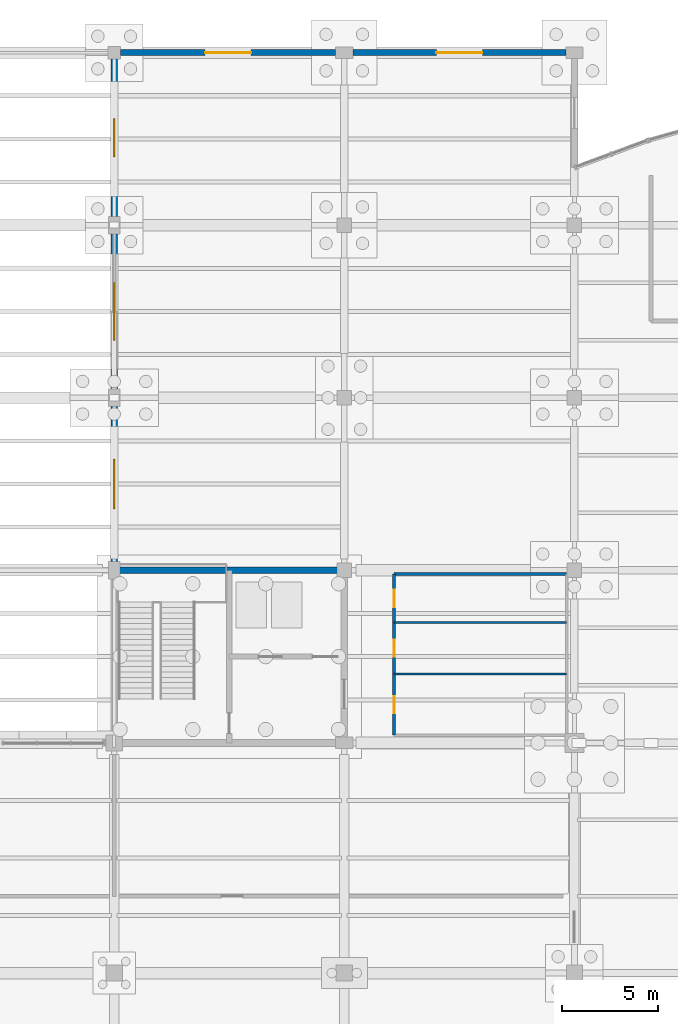
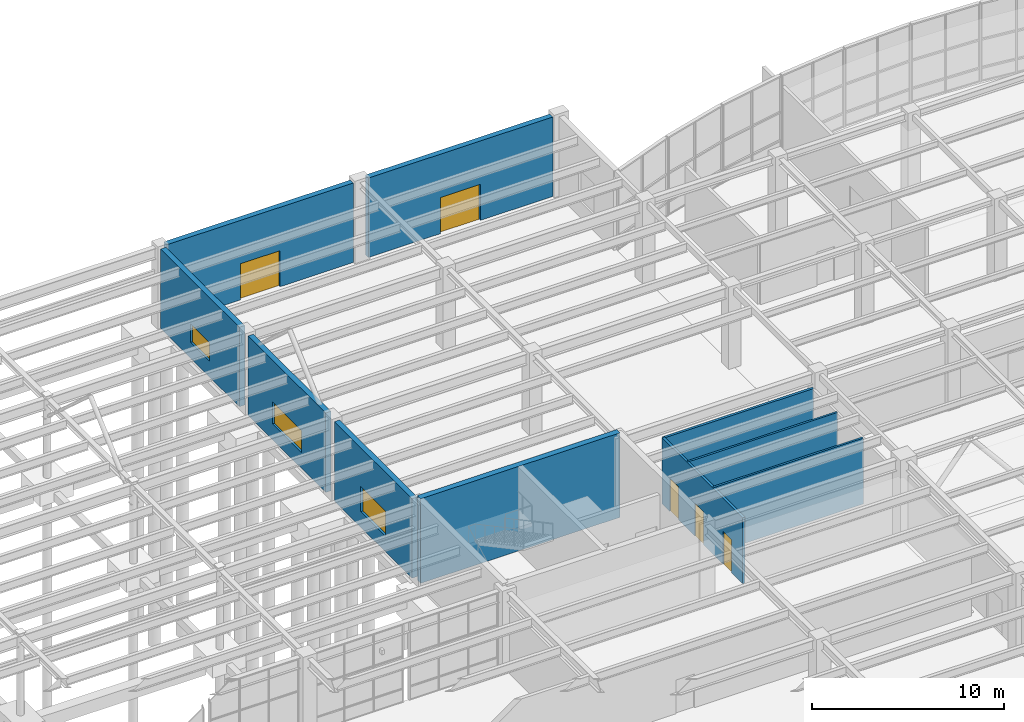
# One storey, part 67 of 85: 10 walls, 5 doors, 3 windows, 8 openings.
"""IFC4 building model written with IfcOpenShell, lengths in metres."""

from ifc_helpers import new_model, si_unit, direction, frame, frame_2d, origin, place, context, subcontext, project, spatial, rectangle, extrude, material, layer, layer_set, type_object, element, fill, save


model = new_model("IFC4")

# Units and contexts
model_context = context("Model", 3, precision=1e-05, world=origin(), true_north=direction((0.0, 1.0)))
body_context = subcontext(model_context, "Body", "Model", "MODEL_VIEW")
ifc_project = project(units=[si_unit("LENGTHUNIT", "METRE"), si_unit("AREAUNIT", "SQUARE_METRE"), si_unit("VOLUMEUNIT", "CUBIC_METRE"), si_unit("PLANEANGLEUNIT", "RADIAN"), si_unit("MASSUNIT", "GRAM", prefix="KILO")], contexts=[model_context])

# Site, building, storey
site_placement = place(None, origin())
site = spatial("IfcSite", under=ifc_project, at=site_placement, CompositionType="ELEMENT")
building_placement = place(site_placement, origin())
building = spatial("IfcBuilding", under=site, at=building_placement, Name="Keelwater Ferry Terminal", CompositionType="ELEMENT")
storey_placement = place(building_placement, origin())
storey = spatial("IfcBuildingStorey", under=building, at=storey_placement, Name="L00", CompositionType="ELEMENT", Elevation=0.0)

# Wall, opening, window
ifc_material_1 = material(Name="Precast concrete C40/50", Category="concrete")
ifc_layer_1 = layer(ifc_material_1, 0.320068359375)
ifc_layer_set_1 = layer_set([ifc_layer_1], Name="Precast concrete C40/50")
wall_type_1 = type_object("IfcWallType", Name="EW-TC320 External Solid Wall 320", PredefinedType="SOLIDWALL", material=ifc_layer_set_1)
wall_1_placement = place(storey_placement, frame((108.0, 99.449951171875, 0.0), z_axis=(0.0, 0.0, 1.0), x_axis=(0.0, 1.0, 0.0)))
wall_1 = element("IfcWall", 1, at=wall_1_placement, inside=storey, type_object=wall_type_1, Name="External Wall WL-L00-0048", PredefinedType="SOLIDWALL", context=body_context, shape_type="SweptSolid", body=[
    extrude(rectangle(XDim=8.10009765625, YDim=0.320068359375, at=frame_2d((4.050048828125, 0.0))), origin(), (0.0, 0.0, 1.0), 5.06005859375),
])
opening_1_placement = place(wall_1_placement, frame((2.75, 0.0, 1.0)))
opening_1 = element("IfcOpeningElement", 2, at=opening_1_placement, cuts=wall_1, Name="Opening WN-19", PredefinedType="OPENING", context=body_context, shape_type="SweptSolid", body=[
    extrude(rectangle(XDim=2.60009765625, YDim=1.60009765625, at=frame_2d((1.300048828125, 0.800048828125))), frame((0.0, 0.170166015625, 0.0), z_axis=(0.0, -1.0, 0.0), x_axis=(1.0, 0.0, 0.0)), (0.0, 0.0, 1.0), 0.340087890625),
])
ifc_material_2 = material(Name="Triple low-E glass in thermally broken aluminium frame", Category="aluminium")
window_type_1 = type_object("IfcWindowType", Name="WN-19 Exterior Window 2600x1600", PartitioningType="SINGLE_PANEL", PredefinedType="WINDOW", material=ifc_material_2)
window_1_placement = place(opening_1_placement, origin())
window_1 = element("IfcWindow", 3, at=window_1_placement, inside=storey, type_object=window_type_1, Name="Window WN-L00-0019", OverallHeight=1.60009765625, OverallWidth=2.60009765625, PartitioningType="SINGLE_PANEL", PredefinedType="WINDOW", context=body_context, shape_type="SweptSolid", body=[
    extrude(rectangle(XDim=2.60009765625, YDim=1.60009765625, at=frame_2d((1.300048828125, 0.800048828125))), frame((0.0, 0.030029296875, 0.0), z_axis=(0.0, -1.0, 0.0), x_axis=(1.0, 0.0, 0.0)), (0.0, 0.0, 1.0), 0.06005859375),
])
fill(opening_1, window_1)

wall_2_placement = place(storey_placement, frame((108.0, 108.449951171875, 0.0), z_axis=(0.0, 0.0, 1.0), x_axis=(0.0, 1.0, 0.0)))
wall_2 = element("IfcWall", 4, at=wall_2_placement, inside=storey, type_object=wall_type_1, Name="External Wall WL-L00-0049", PredefinedType="SOLIDWALL", context=body_context, shape_type="SweptSolid", body=[
    extrude(rectangle(XDim=8.10009765625, YDim=0.320068359375, at=frame_2d((4.050048828125, 0.0))), origin(), (0.0, 0.0, 1.0), 5.06005859375),
])
opening_2_placement = place(wall_2_placement, frame((2.550048828125, 0.0, 1.0)))
opening_2 = element("IfcOpeningElement", 5, at=opening_2_placement, cuts=wall_2, Name="Opening WN-20", PredefinedType="OPENING", context=body_context, shape_type="SweptSolid", body=[
    extrude(rectangle(XDim=3.0, YDim=1.39990234375, at=frame_2d((1.5, 0.699951171875))), frame((0.0, 0.170166015625, 0.0), z_axis=(0.0, -1.0, 0.0), x_axis=(1.0, 0.0, 0.0)), (0.0, 0.0, 1.0), 0.340087890625),
])
ifc_material_3 = material(Name="Triple low-E glass in thermally broken aluminium frame", Category="aluminium")
window_type_2 = type_object("IfcWindowType", Name="WN-20 Exterior Window 3000x1400", PartitioningType="SINGLE_PANEL", PredefinedType="WINDOW", material=ifc_material_3)
window_2_placement = place(opening_2_placement, origin())
window_2 = element("IfcWindow", 6, at=window_2_placement, inside=storey, type_object=window_type_2, Name="Window WN-L00-0020", OverallHeight=1.39990234375, OverallWidth=3.0, PartitioningType="SINGLE_PANEL", PredefinedType="WINDOW", context=body_context, shape_type="SweptSolid", body=[
    extrude(rectangle(XDim=3.0, YDim=1.39990234375, at=frame_2d((1.5, 0.699951171875))), frame((0.0, 0.030029296875, 0.0), z_axis=(0.0, -1.0, 0.0), x_axis=(1.0, 0.0, 0.0)), (0.0, 0.0, 1.0), 0.06005859375),
])
fill(opening_2, window_2)

wall_3_placement = place(storey_placement, frame((108.0, 117.449951171875, 0.0), z_axis=(0.0, 0.0, 1.0), x_axis=(0.0, 1.0, 0.0)))
wall_3 = element("IfcWall", 7, at=wall_3_placement, inside=storey, type_object=wall_type_1, Name="External Wall WL-L00-0050", PredefinedType="SOLIDWALL", context=body_context, shape_type="SweptSolid", body=[
    extrude(rectangle(XDim=8.22509765625, YDim=0.320068359375, at=frame_2d((4.112548828125, 0.0))), origin(), (0.0, 0.0, 1.0), 5.06005859375),
])
opening_3_placement = place(wall_3_placement, frame((3.112060546875, 0.0, 1.0)))
opening_3 = element("IfcOpeningElement", 8, at=opening_3_placement, cuts=wall_3, Name="Opening WN-21", PredefinedType="OPENING", context=body_context, shape_type="SweptSolid", body=[
    extrude(rectangle(XDim=2.0, YDim=1.199951171875, at=frame_2d((1.0, 0.60009765625))), frame((0.0, 0.170166015625, 0.0), z_axis=(0.0, -1.0, 0.0), x_axis=(1.0, 0.0, 0.0)), (0.0, 0.0, 1.0), 0.340087890625),
])
ifc_material_4 = material(Name="Triple low-E glass in thermally broken aluminium frame", Category="aluminium")
window_type_3 = type_object("IfcWindowType", Name="WN-21 Exterior Window 2000x1200", PartitioningType="SINGLE_PANEL", PredefinedType="WINDOW", material=ifc_material_4)
window_3_placement = place(opening_3_placement, origin())
window_3 = element("IfcWindow", 9, at=window_3_placement, inside=storey, type_object=window_type_3, Name="Window WN-L00-0021", OverallHeight=1.199951171875, OverallWidth=2.0, PartitioningType="SINGLE_PANEL", PredefinedType="WINDOW", context=body_context, shape_type="SweptSolid", body=[
    extrude(rectangle(XDim=2.0, YDim=1.199951171875, at=frame_2d((1.0, 0.60009765625))), frame((0.0, 0.030029296875, 0.0), z_axis=(0.0, -1.0, 0.0), x_axis=(1.0, 0.0, 0.0)), (0.0, 0.0, 1.0), 0.06005859375),
])
fill(opening_3, window_3)

# Wall, opening, door
wall_4_placement = place(storey_placement, frame((108.324951171875, 126.0, 0.0), z_axis=(0.0, 0.0, 1.0), x_axis=(1.0, 0.0, 0.0)))
wall_4 = element("IfcWall", 10, at=wall_4_placement, inside=storey, type_object=wall_type_1, Name="External Wall WL-L00-0051", PredefinedType="SOLIDWALL", context=body_context, shape_type="SweptSolid", body=[
    extrude(rectangle(XDim=11.22509765625, YDim=0.320068359375, at=frame_2d((5.612548828125, 0.0))), origin(), (0.0, 0.0, 1.0), 5.06005859375),
])
opening_4_placement = place(wall_4_placement, frame((4.412109375, 0.0, 0.0)))
opening_4 = element("IfcOpeningElement", 11, at=opening_4_placement, cuts=wall_4, Name="Opening ED-15", PredefinedType="OPENING", context=body_context, shape_type="SweptSolid", body=[
    extrude(rectangle(XDim=2.39990234375, YDim=2.300048828125, at=frame_2d((1.199951171875, 1.14990234375))), frame((0.0, 0.170166015625, 0.0), z_axis=(0.0, -1.0, 0.0), x_axis=(1.0, 0.0, 0.0)), (0.0, 0.0, 1.0), 0.340087890625),
])
ifc_material_5 = material(Name="Anodised aluminium and laminated safety glass", Category="aluminium")
door_type_1 = type_object("IfcDoorType", Name="ED-T1 Pedestrian Door 2400x2300", OperationType="DOUBLE_DOOR_SINGLE_SWING", PredefinedType="DOOR", material=ifc_material_5)
door_1_placement = place(opening_4_placement, origin())
door_1 = element("IfcDoor", 12, at=door_1_placement, inside=storey, type_object=door_type_1, Name="Door ED-15", OperationType="DOUBLE_DOOR_SINGLE_SWING", OverallHeight=2.300048828125, OverallWidth=2.39990234375, PredefinedType="DOOR", context=body_context, shape_type="SweptSolid", body=[
    extrude(rectangle(XDim=2.39990234375, YDim=2.300048828125, at=frame_2d((1.199951171875, 1.14990234375))), frame((0.0, 0.02490234375, 0.0), z_axis=(0.0, -1.0, 0.0), x_axis=(1.0, 0.0, 0.0)), (0.0, 0.0, 1.0), 0.050048828125),
])
fill(opening_4, door_1)

wall_5_placement = place(storey_placement, frame((120.449951171875, 126.0, 0.0), z_axis=(0.0, 0.0, 1.0), x_axis=(1.0, 0.0, 0.0)))
wall_5 = element("IfcWall", 13, at=wall_5_placement, inside=storey, type_object=wall_type_1, Name="External Wall WL-L00-0052", PredefinedType="SOLIDWALL", context=body_context, shape_type="SweptSolid", body=[
    extrude(rectangle(XDim=11.10009765625, YDim=0.320068359375, at=frame_2d((5.550048828125, 0.0))), origin(), (0.0, 0.0, 1.0), 5.06005859375),
])
opening_5_placement = place(wall_5_placement, frame((4.35009765625, 0.0, 0.0)))
opening_5 = element("IfcOpeningElement", 14, at=opening_5_placement, cuts=wall_5, Name="Opening ED-16", PredefinedType="OPENING", context=body_context, shape_type="SweptSolid", body=[
    extrude(rectangle(XDim=2.39990234375, YDim=2.300048828125, at=frame_2d((1.199951171875, 1.14990234375))), frame((0.0, 0.170166015625, 0.0), z_axis=(0.0, -1.0, 0.0), x_axis=(1.0, 0.0, 0.0)), (0.0, 0.0, 1.0), 0.340087890625),
])
door_2_placement = place(opening_5_placement, origin())
door_2 = element("IfcDoor", 15, at=door_2_placement, inside=storey, type_object=door_type_1, Name="Door ED-16", OperationType="DOUBLE_DOOR_SINGLE_SWING", OverallHeight=2.300048828125, OverallWidth=2.39990234375, PredefinedType="DOOR", context=body_context, shape_type="SweptSolid", body=[
    extrude(rectangle(XDim=2.39990234375, YDim=2.300048828125, at=frame_2d((1.199951171875, 1.14990234375))), frame((0.0, 0.02490234375, 0.0), z_axis=(0.0, -1.0, 0.0), x_axis=(1.0, 0.0, 0.0)), (0.0, 0.0, 1.0), 0.050048828125),
])
fill(opening_5, door_2)

# Walls
ifc_material_6 = material(Name="Gypsum board on acoustic steel stud", Category="steel")
ifc_layer_2 = layer(ifc_material_6, 0.125)
ifc_layer_set_2 = layer_set([ifc_layer_2], Name="Gypsum board on acoustic steel stud")
wall_type_2 = type_object("IfcWallType", Name="PT-125 Partition Wall 125", PredefinedType="PARTITIONING", material=ifc_layer_set_2)
for number, where, z_axis, x_axis, name in (
    (16, (122.60009765625, 93.592041015625, 0.0), (0.0, 0.0, 1.0), (1.0, 0.0, 0.0), "Interior Wall WL-INT-L00-0170"),
    (17, (122.60009765625, 96.280029296875, 0.0), (0.0, 0.0, 1.0), (1.0, 0.0, 0.0), "Interior Wall WL-INT-L00-0171"),
):
    element("IfcWall", number, at=place(storey_placement, frame(where, z_axis=z_axis, x_axis=x_axis)), inside=storey, type_object=wall_type_2, Name=name, PredefinedType="PARTITIONING", context=body_context, shape_type="SweptSolid", body=[
        extrude(rectangle(XDim=9.0, YDim=0.125, at=frame_2d((4.5, 0.0))), origin(), (0.0, 0.0, 1.0), 4.199951171875),
    ])

# Wall, openings, doors
ifc_material_7 = material(Name="Gypsum board on acoustic steel stud", Category="steel")
ifc_layer_3 = layer(ifc_material_7, 0.14990234375)
ifc_layer_set_3 = layer_set([ifc_layer_3], Name="Gypsum board on acoustic steel stud")
wall_type_3 = type_object("IfcWallType", Name="PT-150 Partition Wall 150", PredefinedType="PARTITIONING", material=ifc_layer_set_3)
wall_6_placement = place(storey_placement, frame((122.60009765625, 90.39990234375, 0.0), z_axis=(0.0, 0.0, 1.0), x_axis=(0.0, 1.0, 0.0)))
wall_6 = element("IfcWall", 18, at=wall_6_placement, inside=storey, type_object=wall_type_3, Name="Interior Wall WL-INT-L00-0166", PredefinedType="PARTITIONING", context=body_context, shape_type="SweptSolid", body=[
    extrude(rectangle(XDim=8.400146484375, YDim=0.14990234375, at=frame_2d((4.2001953125, 0.0))), origin(), (0.0, 0.0, 1.0), 4.199951171875),
])
opening_6_placement = place(wall_6_placement, frame((1.14599609375, 0.0, 0.0)))
opening_6 = element("IfcOpeningElement", 19, at=opening_6_placement, cuts=wall_6, Name="Opening WD-010", PredefinedType="OPENING", context=body_context, shape_type="SweptSolid", body=[
    extrude(rectangle(XDim=0.89990234375, YDim=2.10009765625, at=frame_2d((0.449951171875, 1.050048828125))), frame((0.0, 0.0849609375, 0.0), z_axis=(0.0, -1.0, 0.0), x_axis=(1.0, 0.0, 0.0)), (0.0, 0.0, 1.0), 0.169921875),
])
opening_7_placement = place(wall_6_placement, frame((4.0859375, 0.0, 0.0)))
opening_7 = element("IfcOpeningElement", 20, at=opening_7_placement, cuts=wall_6, Name="Opening WD-011", PredefinedType="OPENING", context=body_context, shape_type="SweptSolid", body=[
    extrude(rectangle(XDim=0.89990234375, YDim=2.10009765625, at=frame_2d((0.449951171875, 1.050048828125))), frame((0.0, 0.0849609375, 0.0), z_axis=(0.0, -1.0, 0.0), x_axis=(1.0, 0.0, 0.0)), (0.0, 0.0, 1.0), 0.169921875),
])
opening_8_placement = place(wall_6_placement, frame((6.679931640625, 0.0, 0.0)))
opening_8 = element("IfcOpeningElement", 21, at=opening_8_placement, cuts=wall_6, Name="Opening WD-012", PredefinedType="OPENING", context=body_context, shape_type="SweptSolid", body=[
    extrude(rectangle(XDim=0.919921875, YDim=2.10009765625, at=frame_2d((0.4599609375, 1.050048828125))), frame((0.0, 0.0849609375, 0.0), z_axis=(0.0, -1.0, 0.0), x_axis=(1.0, 0.0, 0.0)), (0.0, 0.0, 1.0), 0.169921875),
])
ifc_material_8 = material(Name="Acoustic oak and fire-rated steel frame door", Category="steel")
door_type_2 = type_object("IfcDoorType", Name="ID-09 Pedestrian Door 920x2100", OperationType="NOTDEFINED", PredefinedType="DOOR", material=ifc_material_8)
door_3_placement = place(opening_8_placement, origin())
door_3 = element("IfcDoor", 22, at=door_3_placement, inside=storey, type_object=door_type_2, Name="Door WD-012", OperationType="SINGLE_SWING_RIGHT", OverallHeight=2.10009765625, OverallWidth=0.919921875, PredefinedType="DOOR", context=body_context, shape_type="SweptSolid", body=[
    extrude(rectangle(XDim=0.919921875, YDim=2.10009765625, at=frame_2d((0.4599609375, 1.050048828125))), frame((0.0, 0.02490234375, 0.0), z_axis=(0.0, -1.0, 0.0), x_axis=(1.0, 0.0, 0.0)), (0.0, 0.0, 1.0), 0.050048828125),
])
fill(opening_8, door_3)
ifc_material_9 = material(Name="Acoustic oak and fire-rated steel frame door", Category="steel")
door_type_3 = type_object("IfcDoorType", Name="ID-10 Pedestrian Door 900x2100", OperationType="NOTDEFINED", PredefinedType="DOOR", material=ifc_material_9)
door_4_placement = place(opening_6_placement, origin())
door_4 = element("IfcDoor", 23, at=door_4_placement, inside=storey, type_object=door_type_3, Name="Door WD-010", OperationType="SINGLE_SWING_RIGHT", OverallHeight=2.10009765625, OverallWidth=0.89990234375, PredefinedType="DOOR", context=body_context, shape_type="SweptSolid", body=[
    extrude(rectangle(XDim=0.89990234375, YDim=2.10009765625, at=frame_2d((0.449951171875, 1.050048828125))), frame((0.0, 0.02490234375, 0.0), z_axis=(0.0, -1.0, 0.0), x_axis=(1.0, 0.0, 0.0)), (0.0, 0.0, 1.0), 0.050048828125),
])
fill(opening_6, door_4)
door_5_placement = place(opening_7_placement, origin())
door_5 = element("IfcDoor", 24, at=door_5_placement, inside=storey, type_object=door_type_3, Name="Door WD-011", OperationType="SINGLE_SWING_LEFT", OverallHeight=2.10009765625, OverallWidth=0.89990234375, PredefinedType="DOOR", context=body_context, shape_type="SweptSolid", body=[
    extrude(rectangle(XDim=0.89990234375, YDim=2.10009765625, at=frame_2d((0.449951171875, 1.050048828125))), frame((0.0, 0.02490234375, 0.0), z_axis=(0.0, -1.0, 0.0), x_axis=(1.0, 0.0, 0.0)), (0.0, 0.0, 1.0), 0.050048828125),
])
fill(opening_7, door_5)

# Walls
wall_7_placement = place(storey_placement, frame((122.60009765625, 98.800048828125, 0.0), z_axis=(0.0, 0.0, 1.0), x_axis=(1.0, 0.0, 0.0)))
element("IfcWall", 25, at=wall_7_placement, inside=storey, type_object=wall_type_3, Name="Interior Wall WL-INT-L00-0168", PredefinedType="PARTITIONING", context=body_context, shape_type="SweptSolid", body=[
    extrude(rectangle(XDim=9.0, YDim=0.14990234375, at=frame_2d((4.5, 0.0))), origin(), (0.0, 0.0, 1.0), 4.199951171875),
])
ifc_material_10 = material(Name="Concrete C45/55", Category="concrete")
ifc_layer_4 = layer(ifc_material_10, 0.35009765625)
ifc_layer_set_4 = layer_set([ifc_layer_4], Name="Concrete C45/55")
wall_type_4 = type_object("IfcWallType", Name="SW-350 Shear Wall 350", PredefinedType="SHEAR", material=ifc_layer_set_4)
wall_8_placement = place(storey_placement, frame((108.0, 99.0, 0.0), z_axis=(0.0, 0.0, 1.0), x_axis=(1.0, 0.0, 0.0)))
element("IfcWall", 26, at=wall_8_placement, inside=storey, type_object=wall_type_4, Name="Interior Wall WL-INT-L00-0020", PredefinedType="SHEAR", context=body_context, shape_type="SweptSolid", body=[
    extrude(rectangle(XDim=12.0, YDim=0.35009765625, at=frame_2d((6.0, 0.0))), origin(), (0.0, 0.0, 1.0), 5.3798828125),
])

save(model, "model.ifc")
